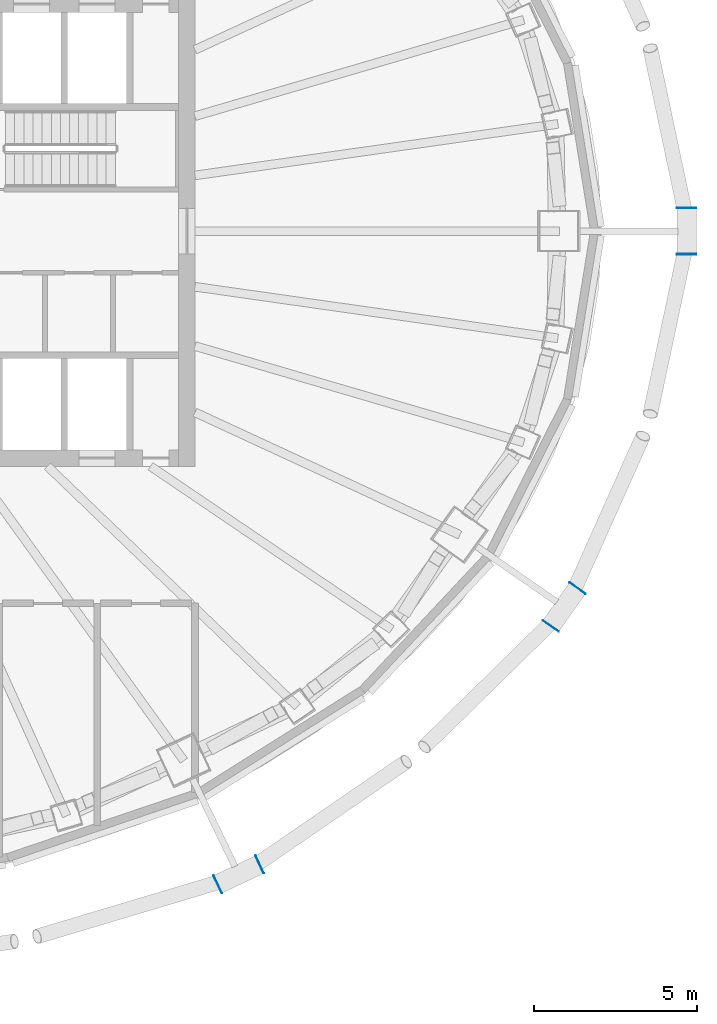
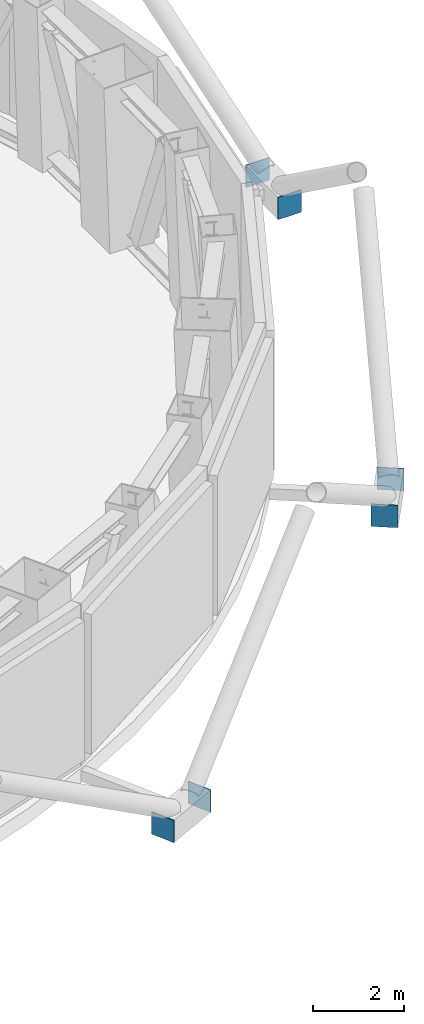
# One storey, part 10 of 16: 6 discrete accessories.
"""IFC4 building model written with IfcOpenShell, lengths in metres."""

from ifc_helpers import new_model, si_unit, direction, frame, origin, origin_2d, place, context, subcontext, project, spatial, rectangle, extrude, material, layer, layer_set, type_object, element, save


model = new_model("IFC4")

# Units and contexts
model_context = context("Model", 3, precision=1e-05, world=origin(), true_north=direction((0.0, 1.0)))
body_context = subcontext(model_context, "Body", "Model", "MODEL_VIEW")
ifc_project = project(units=[si_unit("LENGTHUNIT", "METRE"), si_unit("AREAUNIT", "SQUARE_METRE"), si_unit("VOLUMEUNIT", "CUBIC_METRE"), si_unit("PLANEANGLEUNIT", "RADIAN"), si_unit("MASSUNIT", "GRAM", prefix="KILO")], contexts=[model_context])

# Site, building, storey
site_placement = place(None, origin())
site = spatial("IfcSite", under=ifc_project, at=site_placement, CompositionType="ELEMENT")
building_placement = place(site_placement, origin())
building = spatial("IfcBuilding", under=site, at=building_placement, Name="Siaravel Broadcast Tower", CompositionType="ELEMENT")
storey_placement = place(building_placement, frame((0.0, 0.0, 152.60009765625)))
storey = spatial("IfcBuildingStorey", under=building, at=storey_placement, Name="L36", CompositionType="ELEMENT", Elevation=152.60009765625)

# Discrete accessories
ifc_material = material(Name="Steel S355", Category="steel")
ifc_layer = layer(ifc_material, 0.02001953125)
ifc_layer_set = layer_set([ifc_layer], Name="Steel S355")
discrete_accessory_type = type_object("IfcDiscreteAccessoryType", Name="Steel end plate 20 mm", PredefinedType="USERDEFINED", material=ifc_layer_set)
for number, where, z_axis, x_axis, name in (
    (1, (27.052734375, 0.7099609375, -0.500244140625), (0.0, 0.0, 1.0), (0.0, 1.0, 0.0), "End plate R15 station 00A"),
    (2, (27.052734375, -0.7099609375, -0.500244140625), (0.0, 0.0, 1.0), (0.0, 1.0, 0.0), "End plate R15 station 00B"),
    (3, (13.9794921875, -19.39306640625, -0.500244140625), (0.0, 0.0, 1.0), (0.904006456, 0.427518805, 0.0), "End plate R15 station 60A"),
    (4, (12.6962890625, -20.0, -0.500244140625), (0.0, 0.0, 1.0), (0.904006456, 0.427518805, 0.0), "End plate R15 station 60B"),
    (5, (23.7109375, -10.9326171875, -0.500244140625), (0.0, 0.0, 1.0), (0.576118513, 0.817366172, 0.0), "End plate R15 station 66A"),
    (6, (22.892822265625, -12.093017578125, -0.500244140625), (0.0, 0.0, 1.0), (0.576118513, 0.817366172, 0.0), "End plate R15 station 66B"),
):
    element("IfcDiscreteAccessory", number, at=place(storey_placement, frame(where, z_axis=z_axis, x_axis=x_axis)), inside=storey, type_object=discrete_accessory_type, Name=name, ObjectType="END PLATE", PredefinedType="USERDEFINED", context=body_context, shape_type="SweptSolid", body=[
        extrude(rectangle(XDim=0.02001953125, YDim=0.60009765625, at=origin_2d()), origin(), (0.0, 0.0, 1.0), 0.60009765625),
    ])

save(model, "model.ifc")
